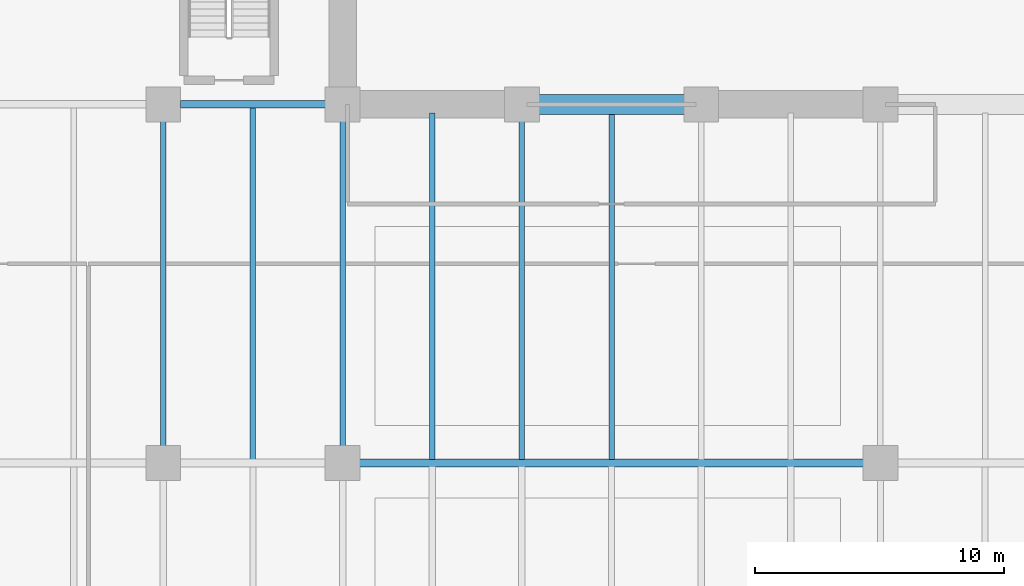
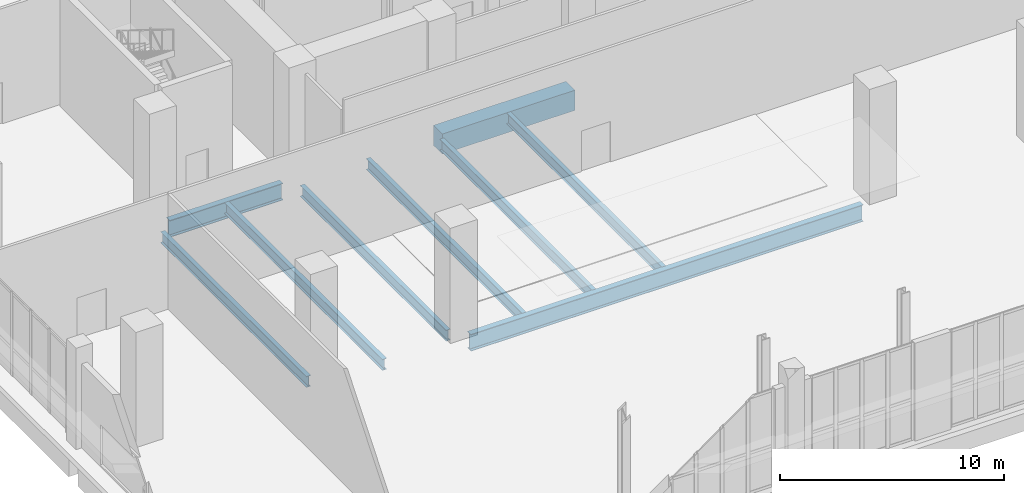
# One storey, part 10 of 29: 9 beams.
"""IFC4 building model written with IfcOpenShell, lengths in metres."""

from ifc_helpers import new_model, si_unit, direction, frame, origin, origin_2d, place, context, subcontext, project, spatial, rectangle, i_section, extrude, material, material_profile, profile_set, type_object, element, save


model = new_model("IFC4")

# Units and contexts
model_context = context("Model", 3, precision=1e-05, world=origin(), true_north=direction((0.0, 1.0)))
body_context = subcontext(model_context, "Body", "Model", "MODEL_VIEW")
ifc_project = project(units=[si_unit("LENGTHUNIT", "METRE"), si_unit("AREAUNIT", "SQUARE_METRE"), si_unit("VOLUMEUNIT", "CUBIC_METRE"), si_unit("PLANEANGLEUNIT", "RADIAN"), si_unit("MASSUNIT", "GRAM", prefix="KILO")], contexts=[model_context])

# Site, building, storey
site_placement = place(None, origin())
site = spatial("IfcSite", under=ifc_project, at=site_placement, CompositionType="ELEMENT")
building_placement = place(site_placement, origin())
building = spatial("IfcBuilding", under=site, at=building_placement, Name="Kaelvorn Grand Hotel", CompositionType="ELEMENT")
storey_placement = place(building_placement, frame((0.0, 0.0, 19.39990234375)))
storey = spatial("IfcBuildingStorey", under=building, at=storey_placement, Name="L03", CompositionType="ELEMENT", Elevation=19.39990234375)

# Beams
ifc_material_1 = material(Name="Steel S355", Category="steel")
ifc_material_profile_1 = material_profile(ifc_material_1, i_section(OverallWidth=0.305419921875, OverallDepth=0.91845703125, WebThickness=0.017333984375, FlangeThickness=0.02783203125, FilletRadius=0.01904296875, at=origin_2d()), Name="UB 914x305x253")
ifc_profile_set_1 = profile_set([ifc_material_profile_1], Name="Steel S355")
beam_type_1 = type_object("IfcBeamType", Name="BM-G-UB914-S355", PredefinedType="BEAM", material=ifc_profile_set_1)
beam_1_placement = place(storey_placement, frame((16.885009765625, 15.0, -0.779052734375), z_axis=(1.0, 0.0, 0.0), x_axis=(0.0, 1.0, 0.0)))
element("IfcBeam", 1, at=beam_1_placement, inside=storey, type_object=beam_type_1, Name="L03 Primary Spine Steel Girder G-15 04", PredefinedType="BEAM", context=body_context, shape_type="SweptSolid", body=[
    extrude(i_section(OverallWidth=0.305419921875, OverallDepth=0.91845703125, WebThickness=0.017333984375, FlangeThickness=0.02783203125, FilletRadius=0.01904296875, at=origin_2d()), origin(), (0.0, 0.0, 1.0), 20.22998046875),
])
beam_2_placement = place(storey_placement, frame((9.68505859375, 29.39990234375, -0.779052734375), z_axis=(1.0, 0.0, 0.0), x_axis=(0.0, 1.0, 0.0)))
element("IfcBeam", 2, at=beam_2_placement, inside=storey, type_object=beam_type_1, Name="L03 West Core Wing Steel Girder G-29W 03", PredefinedType="BEAM", context=body_context, shape_type="SweptSolid", body=[
    extrude(i_section(OverallWidth=0.305419921875, OverallDepth=0.91845703125, WebThickness=0.017333984375, FlangeThickness=0.02783203125, FilletRadius=0.01904296875, at=origin_2d()), origin(), (0.0, 0.0, 1.0), 5.829833984375),
])
ifc_material_profile_2 = material_profile(ifc_material_1, i_section(OverallWidth=0.219970703125, OverallDepth=0.60009765625, WebThickness=0.011962890625, FlangeThickness=0.01904296875, FilletRadius=0.02392578125, at=origin_2d()), Name="IPE 600")
ifc_profile_set_2 = profile_set([ifc_material_profile_2], Name="Steel S355")
beam_type_2 = type_object("IfcBeamType", Name="BM-J-IPE600-S355", PredefinedType="JOIST", material=ifc_profile_set_2)
beam_3_placement = place(storey_placement, frame((9.0, 15.68505859375, -0.619873046875), z_axis=(0.0, 1.0, 0.0), x_axis=(-1.0, 0.0, 0.0)))
element("IfcBeam", 3, at=beam_3_placement, inside=storey, type_object=beam_type_2, Name="L03 Composite Floor Joist JM-03", PredefinedType="JOIST", context=body_context, shape_type="SweptSolid", body=[
    extrude(i_section(OverallWidth=0.219970703125, OverallDepth=0.60009765625, WebThickness=0.011962890625, FlangeThickness=0.01904296875, FilletRadius=0.02392578125, at=origin_2d()), origin(), (0.0, 0.0, 1.0), 13.030029296875),
])
beam_4_placement = place(storey_placement, frame((12.60009765625, 15.1376953125, -0.619873046875), z_axis=(0.0, 1.0, 0.0), x_axis=(-1.0, 0.0, 0.0)))
element("IfcBeam", 4, at=beam_4_placement, inside=storey, type_object=beam_type_2, Name="L03 Composite Floor Joist JM-04", PredefinedType="JOIST", context=body_context, shape_type="SweptSolid", body=[
    extrude(i_section(OverallWidth=0.219970703125, OverallDepth=0.60009765625, WebThickness=0.011962890625, FlangeThickness=0.01904296875, FilletRadius=0.02392578125, at=origin_2d()), origin(), (0.0, 0.0, 1.0), 14.12451171875),
])
beam_5_placement = place(storey_placement, frame((16.199951171875, 15.68505859375, -0.619873046875), z_axis=(0.0, 1.0, 0.0), x_axis=(-1.0, 0.0, 0.0)))
element("IfcBeam", 5, at=beam_5_placement, inside=storey, type_object=beam_type_2, Name="L03 Composite Floor Joist JM-05", PredefinedType="JOIST", context=body_context, shape_type="SweptSolid", body=[
    extrude(i_section(OverallWidth=0.219970703125, OverallDepth=0.60009765625, WebThickness=0.011962890625, FlangeThickness=0.01904296875, FilletRadius=0.02392578125, at=origin_2d()), origin(), (0.0, 0.0, 1.0), 13.030029296875),
])
beam_6_placement = place(storey_placement, frame((19.800048828125, 15.1376953125, -0.619873046875), z_axis=(0.0, 1.0, 0.0), x_axis=(-1.0, 0.0, 0.0)))
element("IfcBeam", 6, at=beam_6_placement, inside=storey, type_object=beam_type_2, Name="L03 Composite Floor Joist JM-06", PredefinedType="JOIST", context=body_context, shape_type="SweptSolid", body=[
    extrude(i_section(OverallWidth=0.219970703125, OverallDepth=0.60009765625, WebThickness=0.011962890625, FlangeThickness=0.01904296875, FilletRadius=0.02392578125, at=origin_2d()), origin(), (0.0, 0.0, 1.0), 13.92236328125),
])
beam_7_placement = place(storey_placement, frame((23.39990234375, 15.1376953125, -0.619873046875), z_axis=(0.0, 1.0, 0.0), x_axis=(-1.0, 0.0, 0.0)))
element("IfcBeam", 7, at=beam_7_placement, inside=storey, type_object=beam_type_2, Name="L03 Composite Floor Joist JM-07", PredefinedType="JOIST", context=body_context, shape_type="SweptSolid", body=[
    extrude(i_section(OverallWidth=0.219970703125, OverallDepth=0.60009765625, WebThickness=0.011962890625, FlangeThickness=0.01904296875, FilletRadius=0.02392578125, at=origin_2d()), origin(), (0.0, 0.0, 1.0), 13.577392578125),
])
beam_8_placement = place(storey_placement, frame((27.0, 15.1376953125, -0.619873046875), z_axis=(0.0, 1.0, 0.0), x_axis=(-1.0, 0.0, 0.0)))
element("IfcBeam", 8, at=beam_8_placement, inside=storey, type_object=beam_type_2, Name="L03 Composite Floor Joist JM-08", PredefinedType="JOIST", context=body_context, shape_type="SweptSolid", body=[
    extrude(i_section(OverallWidth=0.219970703125, OverallDepth=0.60009765625, WebThickness=0.011962890625, FlangeThickness=0.01904296875, FilletRadius=0.02392578125, at=origin_2d()), origin(), (0.0, 0.0, 1.0), 13.92236328125),
])
ifc_material_2 = material(Name="Concrete C60/75", Category="concrete")
ifc_material_profile_3 = material_profile(ifc_material_2, rectangle(XDim=0.800048828125, YDim=1.10009765625, at=origin_2d()), Name="RC LINTEL 800x1100")
ifc_profile_set_3 = profile_set([ifc_material_profile_3], Name="Concrete C60/75")
beam_type_3 = type_object("IfcBeamType", Name="BM-LIN-800x1100-C60", PredefinedType="LINTEL", material=ifc_profile_set_3)
beam_9_placement = place(storey_placement, frame((23.580078125, 29.39990234375, -0.869873046875), z_axis=(1.0, 0.0, 0.0), x_axis=(0.0, 1.0, 0.0)))
element("IfcBeam", 9, at=beam_9_placement, inside=storey, type_object=beam_type_3, Name="L03 Rear-Core Coupling Lintel Beam CB1-01", PredefinedType="LINTEL", context=body_context, shape_type="SweptSolid", body=[
    extrude(rectangle(XDim=0.800048828125, YDim=1.10009765625, at=origin_2d()), origin(), (0.0, 0.0, 1.0), 6.83984375),
])

save(model, "model.ifc")
